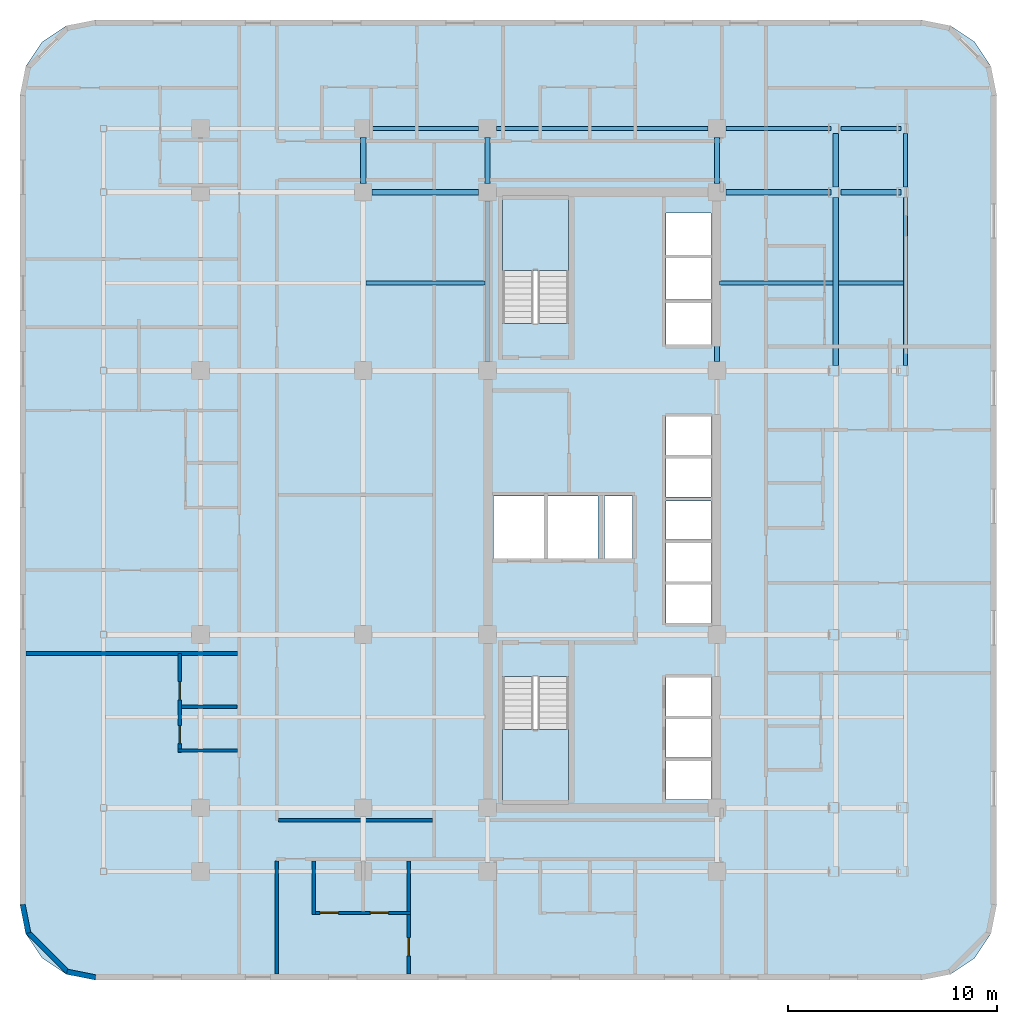
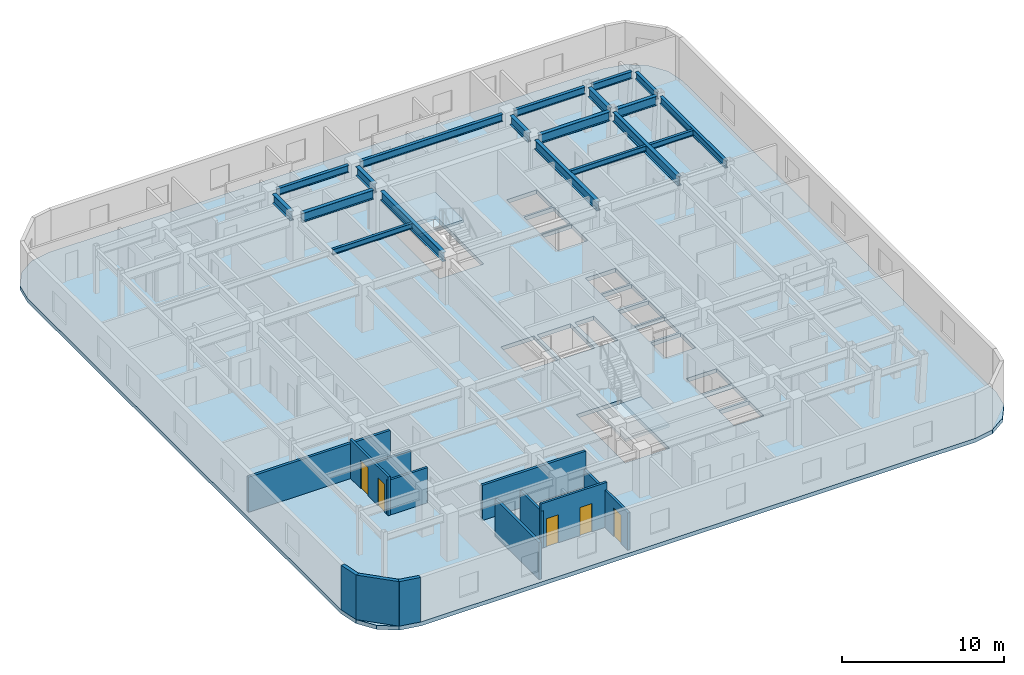
# One storey, part 5 of 12: 19 beams, 12 walls, 5 doors, 3 slabs, 5 openings, 2 elements without a shape of their own.
"""IFC4 building model written with IfcOpenShell, lengths in metres."""

from ifc_helpers import new_model, si_unit, direction, frame, frame_2d, origin, origin_2d, place, context, subcontext, project, spatial, polyline, rectangle, i_section, outline, extrude, material, layer, layer_set, material_profile, profile_set, type_object, element, fill, aggregate, save


model = new_model("IFC4")

# Units and contexts
model_context = context("Model", 3, precision=1e-05, world=origin(), true_north=direction((0.0, 1.0)))
body_context = subcontext(model_context, "Body", "Model", "MODEL_VIEW")
ifc_project = project(units=[si_unit("LENGTHUNIT", "METRE"), si_unit("AREAUNIT", "SQUARE_METRE"), si_unit("VOLUMEUNIT", "CUBIC_METRE"), si_unit("PLANEANGLEUNIT", "RADIAN"), si_unit("MASSUNIT", "GRAM", prefix="KILO")], contexts=[model_context])

# Site, building, storey
site_placement = place(None, origin())
site = spatial("IfcSite", under=ifc_project, at=site_placement, CompositionType="ELEMENT")
building_placement = place(site_placement, origin())
building = spatial("IfcBuilding", under=site, at=building_placement, Name="Ochreholt Gables", CompositionType="ELEMENT")
storey_placement = place(building_placement, frame((0.0, 0.0, 24.0)))
storey = spatial("IfcBuildingStorey", under=building, at=storey_placement, Name="L05", CompositionType="ELEMENT", Elevation=24.0)

# Beams
ifc_material_1 = material(Name="Steel CSA G40.21 350W", Category="steel")
ifc_material_profile_1 = material_profile(ifc_material_1, i_section(OverallWidth=0.256103515625, OverallDepth=0.693115234375, WebThickness=0.014404296875, FlangeThickness=0.023681640625, at=origin_2d()), Name="W690X170")
ifc_profile_set_1 = profile_set([ifc_material_profile_1], Name="Steel CSA G40.21 350W")
beam_type_1 = type_object("IfcBeamType", Name="BM-G-W690", PredefinedType="BEAM", material=ifc_profile_set_1)
beam_1_placement = place(storey_placement, frame((18.674560546875, 38.75, 3.013427734375), z_axis=(1.0, 0.0, 0.0), x_axis=(0.0, 1.0, 0.0)))
element("IfcBeam", 1, at=beam_1_placement, inside=storey, type_object=beam_type_1, Name="L05 Beam TBG-L05-W3C1-Y5", PredefinedType="BEAM", context=body_context, shape_type="SweptSolid", body=[
    extrude(i_section(OverallWidth=0.256103515625, OverallDepth=0.693115234375, WebThickness=0.014404296875, FlangeThickness=0.023681640625, at=origin_2d()), origin(), (0.0, 0.0, 1.0), 5.100830078125),
])
beam_2_placement = place(storey_placement, frame((35.62451171875, 38.75, 3.013427734375), z_axis=(1.0, 0.0, 0.0), x_axis=(0.0, 1.0, 0.0)))
element("IfcBeam", 2, at=beam_2_placement, inside=storey, type_object=beam_type_1, Name="L05 Beam TBG-L05-C2EM-Y5", PredefinedType="BEAM", context=body_context, shape_type="SweptSolid", body=[
    extrude(i_section(OverallWidth=0.256103515625, OverallDepth=0.693115234375, WebThickness=0.014404296875, FlangeThickness=0.023681640625, at=origin_2d()), origin(), (0.0, 0.0, 1.0), 5.02783203125),
])
beam_3_placement = place(storey_placement, frame((41.151611328125, 38.75, 3.013427734375), z_axis=(1.0, 0.0, 0.0), x_axis=(0.0, 1.0, 0.0)))
element("IfcBeam", 3, at=beam_3_placement, inside=storey, type_object=beam_type_1, Name="L05 Beam TBG-L05-EMEE-Y5", PredefinedType="BEAM", context=body_context, shape_type="SweptSolid", body=[
    extrude(i_section(OverallWidth=0.256103515625, OverallDepth=0.693115234375, WebThickness=0.014404296875, FlangeThickness=0.023681640625, at=origin_2d()), origin(), (0.0, 0.0, 1.0), 2.8564453125),
])
beam_4_placement = place(storey_placement, frame((18.25, 39.174560546875, 3.013427734375), z_axis=(0.0, 1.0, 0.0), x_axis=(-1.0, 0.0, 0.0)))
element("IfcBeam", 4, at=beam_4_placement, inside=storey, type_object=beam_type_1, Name="L05 Beam TBN-L05-W3-Y5Y6", PredefinedType="BEAM", context=body_context, shape_type="SweptSolid", body=[
    extrude(i_section(OverallWidth=0.256103515625, OverallDepth=0.693115234375, WebThickness=0.014404296875, FlangeThickness=0.023681640625, at=origin_2d()), origin(), (0.0, 0.0, 1.0), 2.200927734375),
])
beam_5_placement = place(storey_placement, frame((24.199951171875, 30.62451171875, 3.013427734375), z_axis=(0.0, 1.0, 0.0), x_axis=(-1.0, 0.0, 0.0)))
element("IfcBeam", 5, at=beam_5_placement, inside=storey, type_object=beam_type_1, Name="L05 Beam TBN-L05-C1-Y4Y5", PredefinedType="BEAM", context=body_context, shape_type="SweptSolid", body=[
    extrude(i_section(OverallWidth=0.256103515625, OverallDepth=0.693115234375, WebThickness=0.014404296875, FlangeThickness=0.023681640625, at=origin_2d()), origin(), (0.0, 0.0, 1.0), 7.700927734375),
])
beam_6_placement = place(storey_placement, frame((24.199951171875, 39.174560546875, 3.013427734375), z_axis=(0.0, 1.0, 0.0), x_axis=(-1.0, 0.0, 0.0)))
element("IfcBeam", 6, at=beam_6_placement, inside=storey, type_object=beam_type_1, Name="L05 Beam TBN-L05-C1-Y5Y6", PredefinedType="BEAM", context=body_context, shape_type="SweptSolid", body=[
    extrude(i_section(OverallWidth=0.256103515625, OverallDepth=0.693115234375, WebThickness=0.014404296875, FlangeThickness=0.023681640625, at=origin_2d()), origin(), (0.0, 0.0, 1.0), 2.200927734375),
])
beam_7_placement = place(storey_placement, frame((35.199951171875, 30.62451171875, 3.013427734375), z_axis=(0.0, 1.0, 0.0), x_axis=(-1.0, 0.0, 0.0)))
element("IfcBeam", 7, at=beam_7_placement, inside=storey, type_object=beam_type_1, Name="L05 Beam TBN-L05-C2-Y4Y5", PredefinedType="BEAM", context=body_context, shape_type="SweptSolid", body=[
    extrude(i_section(OverallWidth=0.256103515625, OverallDepth=0.693115234375, WebThickness=0.014404296875, FlangeThickness=0.023681640625, at=origin_2d()), origin(), (0.0, 0.0, 1.0), 7.700927734375),
])
beam_8_placement = place(storey_placement, frame((35.199951171875, 39.174560546875, 3.013427734375), z_axis=(0.0, 1.0, 0.0), x_axis=(-1.0, 0.0, 0.0)))
element("IfcBeam", 8, at=beam_8_placement, inside=storey, type_object=beam_type_1, Name="L05 Beam TBN-L05-C2-Y5Y6", PredefinedType="BEAM", context=body_context, shape_type="SweptSolid", body=[
    extrude(i_section(OverallWidth=0.256103515625, OverallDepth=0.693115234375, WebThickness=0.014404296875, FlangeThickness=0.023681640625, at=origin_2d()), origin(), (0.0, 0.0, 1.0), 2.200927734375),
])
beam_9_placement = place(storey_placement, frame((40.885009765625, 30.44970703125, 3.013427734375), z_axis=(0.0, 1.0, 0.0), x_axis=(-1.0, 0.0, 0.0)))
element("IfcBeam", 9, at=beam_9_placement, inside=storey, type_object=beam_type_1, Name="L05 Beam TBN-L05-EM-Y4Y5", PredefinedType="BEAM", context=body_context, shape_type="SweptSolid", body=[
    extrude(i_section(OverallWidth=0.256103515625, OverallDepth=0.693115234375, WebThickness=0.014404296875, FlangeThickness=0.023681640625, at=origin_2d()), origin(), (0.0, 0.0, 1.0), 8.05078125),
])
beam_10_placement = place(storey_placement, frame((40.885009765625, 38.99951171875, 3.013427734375), z_axis=(0.0, 1.0, 0.0), x_axis=(-1.0, 0.0, 0.0)))
element("IfcBeam", 10, at=beam_10_placement, inside=storey, type_object=beam_type_1, Name="L05 Beam TBN-L05-EM-Y5Y6", PredefinedType="BEAM", context=body_context, shape_type="SweptSolid", body=[
    extrude(i_section(OverallWidth=0.256103515625, OverallDepth=0.693115234375, WebThickness=0.014404296875, FlangeThickness=0.023681640625, at=origin_2d()), origin(), (0.0, 0.0, 1.0), 2.55078125),
])
ifc_material_profile_2 = material_profile(ifc_material_1, i_section(OverallWidth=0.178955078125, OverallDepth=0.409912109375, WebThickness=0.0087890625, FlangeThickness=0.014404296875, at=origin_2d()), Name="W410X67")
ifc_profile_set_2 = profile_set([ifc_material_profile_2], Name="Steel CSA G40.21 350W")
beam_type_2 = type_object("IfcBeamType", Name="BM-J-W410", PredefinedType="JOIST", material=ifc_profile_set_2)
beam_11_placement = place(storey_placement, frame((18.377685546875, 34.39990234375, 3.155029296875), z_axis=(1.0, 0.0, 0.0), x_axis=(0.0, 1.0, 0.0)))
element("IfcBeam", 11, at=beam_11_placement, inside=storey, type_object=beam_type_2, Name="L05 Beam TBJ-L05-J2-W3C1", PredefinedType="JOIST", context=body_context, shape_type="SweptSolid", body=[
    extrude(i_section(OverallWidth=0.178955078125, OverallDepth=0.409912109375, WebThickness=0.0087890625, FlangeThickness=0.014404296875, at=origin_2d()), origin(), (0.0, 0.0, 1.0), 5.69482421875),
])
beam_12_placement = place(storey_placement, frame((35.32763671875, 34.39990234375, 3.155029296875), z_axis=(1.0, 0.0, 0.0), x_axis=(0.0, 1.0, 0.0)))
element("IfcBeam", 12, at=beam_12_placement, inside=storey, type_object=beam_type_2, Name="L05 Beam TBJ-L05-J2-C2EM", PredefinedType="JOIST", context=body_context, shape_type="SweptSolid", body=[
    extrude(i_section(OverallWidth=0.178955078125, OverallDepth=0.409912109375, WebThickness=0.0087890625, FlangeThickness=0.014404296875, at=origin_2d()), origin(), (0.0, 0.0, 1.0), 5.4296875),
])
beam_13_placement = place(storey_placement, frame((41.012451171875, 34.39990234375, 3.155029296875), z_axis=(1.0, 0.0, 0.0), x_axis=(0.0, 1.0, 0.0)))
element("IfcBeam", 13, at=beam_13_placement, inside=storey, type_object=beam_type_2, Name="L05 Beam TBJ-L05-J2-EMEE", PredefinedType="JOIST", context=body_context, shape_type="SweptSolid", body=[
    extrude(i_section(OverallWidth=0.178955078125, OverallDepth=0.409912109375, WebThickness=0.0087890625, FlangeThickness=0.014404296875, at=origin_2d()), origin(), (0.0, 0.0, 1.0), 3.112548828125),
])
ifc_material_profile_3 = material_profile(ifc_material_1, i_section(OverallWidth=0.208984375, OverallDepth=0.532958984375, WebThickness=0.01025390625, FlangeThickness=0.015625, at=origin_2d()), Name="W530X92")
ifc_profile_set_3 = profile_set([ifc_material_profile_3], Name="Steel CSA G40.21 350W")
beam_type_3 = type_object("IfcBeamType", Name="BM-SP-W530B", PredefinedType="SPANDREL", material=ifc_profile_set_3)
beam_14_placement = place(storey_placement, frame((18.674560546875, 41.800048828125, 3.093505859375), z_axis=(1.0, 0.0, 0.0), x_axis=(0.0, 1.0, 0.0)))
element("IfcBeam", 14, at=beam_14_placement, inside=storey, type_object=beam_type_3, Name="L05 Beam TBG-L05-W3C1-Y6", PredefinedType="SPANDREL", context=body_context, shape_type="SweptSolid", body=[
    extrude(i_section(OverallWidth=0.208984375, OverallDepth=0.532958984375, WebThickness=0.01025390625, FlangeThickness=0.015625, at=origin_2d()), origin(), (0.0, 0.0, 1.0), 5.100830078125),
])
beam_15_placement = place(storey_placement, frame((24.62451171875, 41.800048828125, 3.093505859375), z_axis=(1.0, 0.0, 0.0), x_axis=(0.0, 1.0, 0.0)))
element("IfcBeam", 15, at=beam_15_placement, inside=storey, type_object=beam_type_3, Name="L05 Beam TBG-L05-C1C2-Y6", PredefinedType="SPANDREL", context=body_context, shape_type="SweptSolid", body=[
    extrude(i_section(OverallWidth=0.208984375, OverallDepth=0.532958984375, WebThickness=0.01025390625, FlangeThickness=0.015625, at=origin_2d()), origin(), (0.0, 0.0, 1.0), 10.15087890625),
])
beam_16_placement = place(storey_placement, frame((35.62451171875, 41.800048828125, 3.093505859375), z_axis=(1.0, 0.0, 0.0), x_axis=(0.0, 1.0, 0.0)))
element("IfcBeam", 16, at=beam_16_placement, inside=storey, type_object=beam_type_3, Name="L05 Beam TBG-L05-C2EM-Y6", PredefinedType="SPANDREL", context=body_context, shape_type="SweptSolid", body=[
    extrude(i_section(OverallWidth=0.208984375, OverallDepth=0.532958984375, WebThickness=0.01025390625, FlangeThickness=0.015625, at=origin_2d()), origin(), (0.0, 0.0, 1.0), 5.02783203125),
])
beam_17_placement = place(storey_placement, frame((41.151611328125, 41.800048828125, 3.093505859375), z_axis=(1.0, 0.0, 0.0), x_axis=(0.0, 1.0, 0.0)))
element("IfcBeam", 17, at=beam_17_placement, inside=storey, type_object=beam_type_3, Name="L05 Beam TBG-L05-EMEE-Y6", PredefinedType="SPANDREL", context=body_context, shape_type="SweptSolid", body=[
    extrude(i_section(OverallWidth=0.208984375, OverallDepth=0.532958984375, WebThickness=0.01025390625, FlangeThickness=0.015625, at=origin_2d()), origin(), (0.0, 0.0, 1.0), 2.8564453125),
])
beam_18_placement = place(storey_placement, frame((44.229248046875, 30.44970703125, 3.093505859375), z_axis=(0.0, 1.0, 0.0), x_axis=(-1.0, 0.0, 0.0)))
element("IfcBeam", 18, at=beam_18_placement, inside=storey, type_object=beam_type_3, Name="L05 Beam TBN-L05-EE-Y4Y5", PredefinedType="SPANDREL", context=body_context, shape_type="SweptSolid", body=[
    extrude(i_section(OverallWidth=0.208984375, OverallDepth=0.532958984375, WebThickness=0.01025390625, FlangeThickness=0.015625, at=origin_2d()), origin(), (0.0, 0.0, 1.0), 8.05078125),
])
beam_19_placement = place(storey_placement, frame((44.229248046875, 38.99951171875, 3.093505859375), z_axis=(0.0, 1.0, 0.0), x_axis=(-1.0, 0.0, 0.0)))
element("IfcBeam", 19, at=beam_19_placement, inside=storey, type_object=beam_type_3, Name="L05 Beam TBN-L05-EE-Y5Y6", PredefinedType="SPANDREL", context=body_context, shape_type="SweptSolid", body=[
    extrude(i_section(OverallWidth=0.208984375, OverallDepth=0.532958984375, WebThickness=0.01025390625, FlangeThickness=0.015625, at=origin_2d()), origin(), (0.0, 0.0, 1.0), 2.55078125),
])

# Stair, slab
ifc_material_2 = material(Name="Concrete 40 MPa", Category="concrete")
stair_type_1 = type_object("IfcStairType", Name="STAIR-CORE-ST-1", PredefinedType="HALF_TURN_STAIR", material=ifc_material_2)
stair_1_placement = place(storey_placement, origin())
stair_1 = element("IfcStair", 20, at=stair_1_placement, inside=storey, type_object=stair_type_1, Name="L05 Core Exit Stair 1", PredefinedType="HALF_TURN_STAIR")
ifc_layer_1 = layer(ifc_material_2, 0.199951171875, Name="Concrete 40 MPa")
ifc_layer_set_1 = layer_set([ifc_layer_1], Name="Concrete 40 MPa")
slab_type_1 = type_object("IfcSlabType", Name="LANDING-RC200", PredefinedType="LANDING", material=ifc_layer_set_1)
slab_1_placement = place(storey_placement, frame((0.0, 0.0, 1.60009765625)))
slab_1 = element("IfcSlab", 21, at=slab_1_placement, type_object=slab_type_1, Name="ST-1 landing 1", PredefinedType="LANDING", context=body_context, shape_type="SweptSolid", body=[
    extrude(outline(polyline([(24.919921875, 13.001953125), (24.919921875, 9.52001953125), (28.080078125, 9.52001953125), (28.080078125, 13.001953125), (24.919921875, 13.001953125)])), origin(), (0.0, 0.0, 1.0), 0.199951171875),
])
aggregate(stair_1, [slab_1])

stair_type_2 = type_object("IfcStairType", Name="STAIR-CORE-ST-2", PredefinedType="HALF_TURN_STAIR", material=ifc_material_2)
stair_2_placement = place(storey_placement, origin())
stair_2 = element("IfcStair", 22, at=stair_2_placement, inside=storey, type_object=stair_type_2, Name="L05 Core Exit Stair 2", PredefinedType="HALF_TURN_STAIR")
slab_2_placement = place(storey_placement, frame((0.0, 0.0, 1.60009765625)))
slab_2 = element("IfcSlab", 23, at=slab_2_placement, type_object=slab_type_1, Name="ST-2 landing 1", PredefinedType="LANDING", context=body_context, shape_type="SweptSolid", body=[
    extrude(outline(polyline([(28.080078125, 34.998046875), (28.080078125, 38.47998046875), (24.919921875, 38.47998046875), (24.919921875, 34.998046875), (28.080078125, 34.998046875)])), origin(), (0.0, 0.0, 1.0), 0.199951171875),
])
aggregate(stair_2, [slab_2])

# Slab
ifc_material_3 = material(Name="Concrete 50 MPa", Category="concrete")
ifc_layer_2 = layer(ifc_material_3, 0.300048828125, Name="Concrete 50 MPa")
ifc_layer_set_2 = layer_set([ifc_layer_2], Name="Concrete 50 MPa")
slab_type_2 = type_object("IfcSlabType", Name="SLAB-TRN-300", PredefinedType="FLOOR", material=ifc_layer_set_2)
slab_3_placement = place(storey_placement, frame((0.0, 0.0, -0.300048828125)))
element("IfcSlab", 24, at=slab_3_placement, inside=storey, type_object=slab_type_2, Name="L05 Structural Floor Slab", PredefinedType="FLOOR", context=body_context, shape_type="SweptSolid", body=[
    extrude(outline(polyline([(1.800048828125, 4.60009765625), (2.073974609375, 3.222412109375), (2.8544921875, 2.054443359375), (4.022216796875, 1.27392578125), (5.39990234375, 1.0), (45.0, 1.0), (46.377685546875, 1.27392578125), (47.545654296875, 2.054443359375), (48.325927734375, 3.222412109375), (48.60009765625, 4.60009765625), (48.60009765625, 43.39990234375), (48.325927734375, 44.777587890625), (47.545654296875, 45.945556640625), (46.377685546875, 46.72607421875), (45.0, 47.0), (5.39990234375, 47.0), (4.022216796875, 46.72607421875), (2.8544921875, 45.945556640625), (2.073974609375, 44.777587890625), (1.800048828125, 43.39990234375), (1.800048828125, 4.60009765625)]), holes=[polyline([(24.919921875, 15.539306640625), (24.919921875, 9.52001953125), (28.080078125, 9.52001953125), (28.080078125, 15.539306640625), (24.919921875, 15.539306640625)]), polyline([(28.080078125, 32.460693359375), (28.080078125, 38.47998046875), (24.919921875, 38.47998046875), (24.919921875, 32.460693359375), (28.080078125, 32.460693359375)]), polyline([(24.5, 21.199951171875), (26.89990234375, 21.199951171875), (26.89990234375, 24.199951171875), (24.5, 24.199951171875), (24.5, 21.199951171875)]), polyline([(27.10009765625, 21.199951171875), (29.5, 21.199951171875), (29.5, 24.199951171875), (27.10009765625, 24.199951171875), (27.10009765625, 21.199951171875)]), polyline([(32.75, 9.64990234375), (34.89990234375, 9.64990234375), (34.89990234375, 11.5), (32.75, 11.5), (32.75, 9.64990234375)]), polyline([(32.75, 11.64990234375), (34.89990234375, 11.64990234375), (34.89990234375, 13.5), (32.75, 13.5), (32.75, 11.64990234375)]), polyline([(32.75, 13.64990234375), (34.89990234375, 13.64990234375), (34.89990234375, 15.5), (32.75, 15.5), (32.75, 13.64990234375)]), polyline([(32.75, 18.10009765625), (34.89990234375, 18.10009765625), (34.89990234375, 19.949951171875), (32.75, 19.949951171875), (32.75, 18.10009765625)]), polyline([(32.75, 20.10009765625), (34.89990234375, 20.10009765625), (34.89990234375, 21.949951171875), (32.75, 21.949951171875), (32.75, 20.10009765625)]), polyline([(32.75, 22.10009765625), (34.89990234375, 22.10009765625), (34.89990234375, 23.949951171875), (32.75, 23.949951171875), (32.75, 22.10009765625)]), polyline([(32.75, 24.14990234375), (34.89990234375, 24.14990234375), (34.89990234375, 26.0), (32.75, 26.0), (32.75, 24.14990234375)]), polyline([(32.75, 26.14990234375), (34.89990234375, 26.14990234375), (34.89990234375, 28.0), (32.75, 28.0), (32.75, 26.14990234375)]), polyline([(32.75, 31.449951171875), (34.89990234375, 31.449951171875), (34.89990234375, 33.449951171875), (32.75, 33.449951171875), (32.75, 31.449951171875)]), polyline([(32.75, 33.60009765625), (34.89990234375, 33.60009765625), (34.89990234375, 35.60009765625), (32.75, 35.60009765625), (32.75, 33.60009765625)]), polyline([(32.75, 35.75), (34.89990234375, 35.75), (34.89990234375, 37.75), (32.75, 37.75), (32.75, 35.75)]), polyline([(29.800048828125, 21.199951171875), (31.14990234375, 21.199951171875), (31.14990234375, 24.199951171875), (29.800048828125, 24.199951171875), (29.800048828125, 21.199951171875)])]), origin(), (0.0, 0.0, 1.0), 0.300048828125),
])

# Walls
ifc_material_4 = material(Name="Precast concrete 40 MPa", Category="concrete")
ifc_layer_3 = layer(ifc_material_4, 0.25, Name="Precast concrete 40 MPa")
ifc_layer_set_3 = layer_set([ifc_layer_3], Name="Precast concrete 40 MPa")
wall_type_1 = type_object("IfcWallType", Name="WALL-EXT-CNR", PredefinedType="SOLIDWALL", material=ifc_layer_set_3)
wall_1_placement = place(storey_placement, frame((1.92431640625, 4.616455078125, 0.0), z_axis=(0.0, 0.0, 1.0), x_axis=(0.19496651342, -0.980809899341, 0.0)))
element("IfcWall", 25, at=wall_1_placement, inside=storey, type_object=wall_type_1, Name="L05 Rounded Corner Wall SW-1", PredefinedType="SOLIDWALL", context=body_context, shape_type="SweptSolid", body=[
    extrude(rectangle(XDim=1.388671875, YDim=0.25, at=frame_2d((0.6943359375, 0.0))), origin(), (0.0, 0.0, 1.0), 3.360107421875),
])
wall_2_placement = place(storey_placement, frame((2.16796875, 3.304931640625, 0.0), z_axis=(0.0, 0.0, 1.0), x_axis=(0.707106781187, -0.707106781187, 0.0)))
element("IfcWall", 26, at=wall_2_placement, inside=storey, type_object=wall_type_1, Name="L05 Rounded Corner Wall SW-2", PredefinedType="SOLIDWALL", context=body_context, shape_type="SweptSolid", body=[
    extrude(rectangle(XDim=2.7392578125, YDim=0.25, at=frame_2d((1.36962890625, 0.0))), origin(), (0.0, 0.0, 1.0), 3.360107421875),
])
wall_3_placement = place(storey_placement, frame((4.054443359375, 1.39501953125, 0.0), z_axis=(0.0, 0.0, 1.0), x_axis=(0.980809899341, -0.19496651342, 0.0)))
element("IfcWall", 27, at=wall_3_placement, inside=storey, type_object=wall_type_1, Name="L05 Rounded Corner Wall SW-3", PredefinedType="SOLIDWALL", context=body_context, shape_type="SweptSolid", body=[
    extrude(rectangle(XDim=1.388671875, YDim=0.25, at=frame_2d((0.6943359375, 0.0))), origin(), (0.0, 0.0, 1.0), 3.360107421875),
])
ifc_material_5 = material(Name="Fire-Rated Gypsum Acoustic Partition", Category="gypsum")
ifc_layer_4 = layer(ifc_material_5, 0.179931640625, Name="Fire-Rated Gypsum Acoustic Partition")
ifc_layer_set_4 = layer_set([ifc_layer_4], Name="Fire-Rated Gypsum Acoustic Partition")
wall_type_2 = type_object("IfcWallType", Name="WALL-INT-CR180", PredefinedType="STANDARD", material=ifc_layer_set_4)
wall_4_placement = place(storey_placement, frame((14.18994140625, 8.64990234375, 0.0), z_axis=(0.0, 0.0, 1.0), x_axis=(1.0, 0.0, 0.0)))
element("IfcWall", 28, at=wall_4_placement, inside=storey, type_object=wall_type_2, Name="L05 Interior Wall WI-C1S2W-L05", PredefinedType="STANDARD", context=body_context, shape_type="SweptSolid", body=[
    extrude(rectangle(XDim=7.3701171875, YDim=0.179931640625, at=frame_2d((3.68505859375, 0.0))), origin(), (0.0, 0.0, 1.0), 2.64892578125),
])
ifc_material_6 = material(Name="Double-Stud Acoustic Demising Wall", Category="gypsum")
ifc_layer_5 = layer(ifc_material_6, 0.179931640625, Name="Double-Stud Acoustic Demising Wall")
ifc_layer_set_5 = layer_set([ifc_layer_5], Name="Double-Stud Acoustic Demising Wall")
wall_type_3 = type_object("IfcWallType", Name="WALL-INT-DM180", PredefinedType="PARTITIONING", material=ifc_layer_set_5)
wall_5_placement = place(storey_placement, frame((14.10009765625, 1.2900390625, 0.0), z_axis=(0.0, 0.0, 1.0), x_axis=(0.0, 1.0, 0.0)))
element("IfcWall", 29, at=wall_5_placement, inside=storey, type_object=wall_type_3, Name="L05 Interior Wall WI-C1WSI-L05", PredefinedType="PARTITIONING", context=body_context, shape_type="SweptSolid", body=[
    extrude(rectangle(XDim=5.419921875, YDim=0.179931640625, at=frame_2d((2.7099609375, 0.0))), origin(), (0.0, 0.0, 1.0), 2.80908203125),
])
wall_6_placement = place(storey_placement, frame((2.090087890625, 16.639892578125, 0.0), z_axis=(0.0, 0.0, 1.0), x_axis=(1.0, 0.0, 0.0)))
element("IfcWall", 30, at=wall_6_placement, inside=storey, type_object=wall_type_3, Name="L05 Interior Wall WI-UDW2-L05", PredefinedType="PARTITIONING", context=body_context, shape_type="SweptSolid", body=[
    extrude(rectangle(XDim=10.119873046875, YDim=0.179931640625, at=frame_2d((5.06005859375, 0.0))), origin(), (0.0, 0.0, 1.0), 2.64892578125),
])
ifc_material_7 = material(Name="Moisture-Resistant Plumbing Chase Wall", Category="gypsum")
ifc_layer_6 = layer(ifc_material_7, 0.159912109375, Name="Moisture-Resistant Plumbing Chase Wall")
ifc_layer_set_6 = layer_set([ifc_layer_6], Name="Moisture-Resistant Plumbing Chase Wall")
wall_type_4 = type_object("IfcWallType", Name="WALL-INT-PL160", PredefinedType="PLUMBINGWALL", material=ifc_layer_set_6)
wall_7_placement = place(storey_placement, frame((9.3759765625, 12.0, 0.0), z_axis=(0.0, 0.0, 1.0), x_axis=(1.0, 0.0, 0.0)))
element("IfcWall", 31, at=wall_7_placement, inside=storey, type_object=wall_type_4, Name="L05 Interior Wall WU-L05W1-WYS", PredefinedType="PLUMBINGWALL", context=body_context, shape_type="SweptSolid", body=[
    extrude(rectangle(XDim=2.833984375, YDim=0.159912109375, at=frame_2d((1.4169921875, 0.0))), origin(), (0.0, 0.0, 1.0), 2.64892578125),
])

# Wall, openings, doors
wall_8_placement = place(storey_placement, frame((9.4560546875, 11.909912109375, 0.0), z_axis=(0.0, 0.0, 1.0), x_axis=(0.0, 1.0, 0.0)))
wall_8 = element("IfcWall", 32, at=wall_8_placement, inside=storey, type_object=wall_type_4, Name="L05 Interior Wall WU-L05W1-WX", PredefinedType="PLUMBINGWALL", context=body_context, shape_type="SweptSolid", body=[
    extrude(rectangle(XDim=4.72998046875, YDim=0.159912109375, at=frame_2d((2.364990234375, 0.0))), origin(), (0.0, 0.0, 1.0), 2.931884765625),
])
opening_1_placement = place(wall_8_placement, frame((0.419921875, 0.0, 0.0)))
opening_1 = element("IfcOpeningElement", 33, at=opening_1_placement, cuts=wall_8, Name="Opening D-BT1", PredefinedType="OPENING", context=body_context, shape_type="SweptSolid", body=[
    extrude(rectangle(XDim=0.860107421875, YDim=2.1201171875, at=frame_2d((0.43017578125, 1.06005859375))), frame((0.0, 0.08984375, 0.0), z_axis=(0.0, -1.0, 0.0), x_axis=(1.0, 0.0, 0.0)), (0.0, 0.0, 1.0), 0.179931640625),
])
opening_2_placement = place(wall_8_placement, frame((2.512939453125, 0.0, 0.0)))
opening_2 = element("IfcOpeningElement", 34, at=opening_2_placement, cuts=wall_8, Name="Opening D-GN2", PredefinedType="OPENING", context=body_context, shape_type="SweptSolid", body=[
    extrude(rectangle(XDim=0.8798828125, YDim=2.1201171875, at=frame_2d((0.43994140625, 1.06005859375))), frame((0.0, 0.08984375, 0.0), z_axis=(0.0, -1.0, 0.0), x_axis=(1.0, 0.0, 0.0)), (0.0, 0.0, 1.0), 0.179931640625),
])
ifc_material_8 = material(Name="Engineered Oak Timber", Category="wood")
door_type_1 = type_object("IfcDoorType", Name="DR-INT-BTH860", OperationType="NOTDEFINED", PredefinedType="DOOR", material=ifc_material_8)
door_1_placement = place(opening_1_placement, origin())
door_1 = element("IfcDoor", 35, at=door_1_placement, inside=storey, type_object=door_type_1, Name="L05 Door D-U-L05W1-BTH", OperationType="SINGLE_SWING_RIGHT", OverallHeight=2.1201171875, OverallWidth=0.860107421875, PredefinedType="DOOR", context=body_context, shape_type="SweptSolid", body=[
    extrude(rectangle(XDim=0.860107421875, YDim=2.1201171875, at=frame_2d((0.43017578125, 1.06005859375))), frame((0.0, 0.02490234375, 0.0), z_axis=(0.0, -1.0, 0.0), x_axis=(1.0, 0.0, 0.0)), (0.0, 0.0, 1.0), 0.050048828125),
])
fill(opening_1, door_1)
door_type_2 = type_object("IfcDoorType", Name="DR-INT-GEN880", OperationType="NOTDEFINED", PredefinedType="DOOR", material=ifc_material_8)
door_2_placement = place(opening_2_placement, origin())
door_2 = element("IfcDoor", 36, at=door_2_placement, inside=storey, type_object=door_type_2, Name="L05 Door D-U-L05W1-KIT", OperationType="SINGLE_SWING_LEFT", OverallHeight=2.1201171875, OverallWidth=0.8798828125, PredefinedType="DOOR", context=body_context, shape_type="SweptSolid", body=[
    extrude(rectangle(XDim=0.8798828125, YDim=2.1201171875, at=frame_2d((0.43994140625, 1.06005859375))), frame((0.0, 0.02490234375, 0.0), z_axis=(0.0, -1.0, 0.0), x_axis=(1.0, 0.0, 0.0)), (0.0, 0.0, 1.0), 0.050048828125),
])
fill(opening_2, door_2)

# Wall
wall_9_placement = place(storey_placement, frame((9.535888671875, 14.093017578125, 0.0), z_axis=(0.0, 0.0, 1.0), x_axis=(1.0, 0.0, 0.0)))
element("IfcWall", 37, at=wall_9_placement, inside=storey, type_object=wall_type_4, Name="L05 Interior Wall WU-L05W1-WM", PredefinedType="PLUMBINGWALL", context=body_context, shape_type="SweptSolid", body=[
    extrude(rectangle(XDim=2.674072265625, YDim=0.159912109375, at=frame_2d((1.3369140625, 0.0))), origin(), (0.0, 0.0, 1.0), 2.64892578125),
])

# Wall, openings, doors
wall_10_placement = place(storey_placement, frame((15.80029296875, 4.21240234375, 0.0), z_axis=(0.0, 0.0, 1.0), x_axis=(1.0, 0.0, 0.0)))
wall_10 = element("IfcWall", 38, at=wall_10_placement, inside=storey, type_object=wall_type_4, Name="L05 Interior Wall WU-L05S1-WY", PredefinedType="PLUMBINGWALL", context=body_context, shape_type="SweptSolid", body=[
    extrude(rectangle(XDim=4.710205078125, YDim=0.159912109375, at=frame_2d((2.35498046875, 0.0))), origin(), (0.0, 0.0, 1.0), 3.360107421875),
])
opening_3_placement = place(wall_10_placement, frame((0.3798828125, 0.0, 0.0)))
opening_3 = element("IfcOpeningElement", 39, at=opening_3_placement, cuts=wall_10, Name="Opening D-GN2", PredefinedType="OPENING", context=body_context, shape_type="SweptSolid", body=[
    extrude(rectangle(XDim=0.8798828125, YDim=2.1201171875, at=frame_2d((0.43994140625, 1.06005859375))), frame((0.0, 0.08984375, 0.0), z_axis=(0.0, -1.0, 0.0), x_axis=(1.0, 0.0, 0.0)), (0.0, 0.0, 1.0), 0.179931640625),
])
opening_4_placement = place(wall_10_placement, frame((2.785888671875, 0.0, 0.0)))
opening_4 = element("IfcOpeningElement", 40, at=opening_4_placement, cuts=wall_10, Name="Opening D-BT1", PredefinedType="OPENING", context=body_context, shape_type="SweptSolid", body=[
    extrude(rectangle(XDim=0.860107421875, YDim=2.1201171875, at=frame_2d((0.43017578125, 1.06005859375))), frame((0.0, 0.08984375, 0.0), z_axis=(0.0, -1.0, 0.0), x_axis=(1.0, 0.0, 0.0)), (0.0, 0.0, 1.0), 0.179931640625),
])
door_3_placement = place(opening_4_placement, origin())
door_3 = element("IfcDoor", 41, at=door_3_placement, inside=storey, type_object=door_type_1, Name="L05 Door D-U-L05S1-BTH", OperationType="SINGLE_SWING_LEFT", OverallHeight=2.1201171875, OverallWidth=0.860107421875, PredefinedType="DOOR", context=body_context, shape_type="SweptSolid", body=[
    extrude(rectangle(XDim=0.860107421875, YDim=2.1201171875, at=frame_2d((0.43017578125, 1.06005859375))), frame((0.0, 0.02490234375, 0.0), z_axis=(0.0, -1.0, 0.0), x_axis=(1.0, 0.0, 0.0)), (0.0, 0.0, 1.0), 0.050048828125),
])
fill(opening_4, door_3)
door_4_placement = place(opening_3_placement, origin())
door_4 = element("IfcDoor", 42, at=door_4_placement, inside=storey, type_object=door_type_2, Name="L05 Door D-U-L05S1-KIT", OperationType="SINGLE_SWING_RIGHT", OverallHeight=2.1201171875, OverallWidth=0.8798828125, PredefinedType="DOOR", context=body_context, shape_type="SweptSolid", body=[
    extrude(rectangle(XDim=0.8798828125, YDim=2.1201171875, at=frame_2d((0.43994140625, 1.06005859375))), frame((0.0, 0.02490234375, 0.0), z_axis=(0.0, -1.0, 0.0), x_axis=(1.0, 0.0, 0.0)), (0.0, 0.0, 1.0), 0.050048828125),
])
fill(opening_3, door_4)

# Wall
wall_11_placement = place(storey_placement, frame((15.88037109375, 4.132568359375, 0.0), z_axis=(0.0, 0.0, 1.0), x_axis=(0.0, 1.0, 0.0)))
element("IfcWall", 43, at=wall_11_placement, inside=storey, type_object=wall_type_4, Name="L05 Interior Wall WU-L05S1-FY", PredefinedType="PLUMBINGWALL", context=body_context, shape_type="SweptSolid", body=[
    extrude(rectangle(XDim=2.577392578125, YDim=0.159912109375, at=frame_2d((1.28857421875, 0.0))), origin(), (0.0, 0.0, 1.0), 2.80908203125),
])

# Wall, opening, door
ifc_material_9 = material(Name="Gypsum Acoustic Stud Partition", Category="gypsum")
ifc_layer_7 = layer(ifc_material_9, 0.159912109375, Name="Gypsum Acoustic Stud Partition")
ifc_layer_set_7 = layer_set([ifc_layer_7], Name="Gypsum Acoustic Stud Partition")
wall_type_5 = type_object("IfcWallType", Name="WALL-INT-PT160", PredefinedType="PARTITIONING", material=ifc_layer_set_7)
wall_12_placement = place(storey_placement, frame((20.430419921875, 1.2900390625, 0.0), z_axis=(0.0, 0.0, 1.0), x_axis=(0.0, 1.0, 0.0)))
wall_12 = element("IfcWall", 44, at=wall_12_placement, inside=storey, type_object=wall_type_5, Name="L05 Interior Wall WU-L05S1-MNX", PredefinedType="PARTITIONING", context=body_context, shape_type="SweptSolid", body=[
    extrude(rectangle(XDim=5.419921875, YDim=0.159912109375, at=frame_2d((2.7099609375, 0.0))), origin(), (0.0, 0.0, 1.0), 2.80908203125),
])
opening_5_placement = place(wall_12_placement, frame((0.861328125, 0.0, 0.0)))
opening_5 = element("IfcOpeningElement", 45, at=opening_5_placement, cuts=wall_12, Name="Opening D-BD2", PredefinedType="OPENING", context=body_context, shape_type="SweptSolid", body=[
    extrude(rectangle(XDim=0.8798828125, YDim=2.139892578125, at=frame_2d((0.43994140625, 1.06982421875))), frame((0.0, 0.08984375, 0.0), z_axis=(0.0, -1.0, 0.0), x_axis=(1.0, 0.0, 0.0)), (0.0, 0.0, 1.0), 0.179931640625),
])
door_type_3 = type_object("IfcDoorType", Name="DR-INT-BED880", OperationType="NOTDEFINED", PredefinedType="DOOR", material=ifc_material_8)
door_5_placement = place(opening_5_placement, origin())
door_5 = element("IfcDoor", 46, at=door_5_placement, inside=storey, type_object=door_type_3, Name="L05 Door D-U-L05S1-BD1", OperationType="SINGLE_SWING_RIGHT", OverallHeight=2.139892578125, OverallWidth=0.8798828125, PredefinedType="DOOR", context=body_context, shape_type="SweptSolid", body=[
    extrude(rectangle(XDim=0.8798828125, YDim=2.139892578125, at=frame_2d((0.43994140625, 1.06982421875))), frame((0.0, 0.02490234375, 0.0), z_axis=(0.0, -1.0, 0.0), x_axis=(1.0, 0.0, 0.0)), (0.0, 0.0, 1.0), 0.050048828125),
])
fill(opening_5, door_5)

save(model, "model.ifc")
